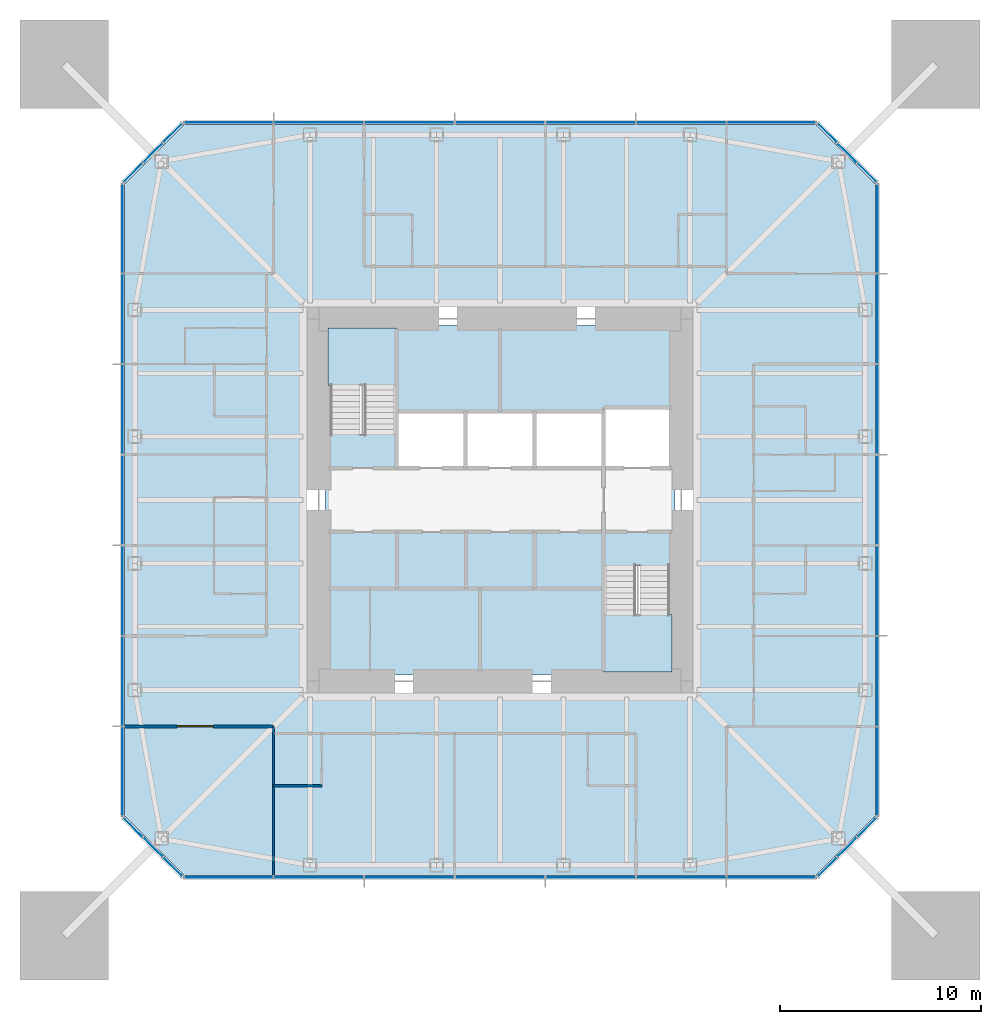
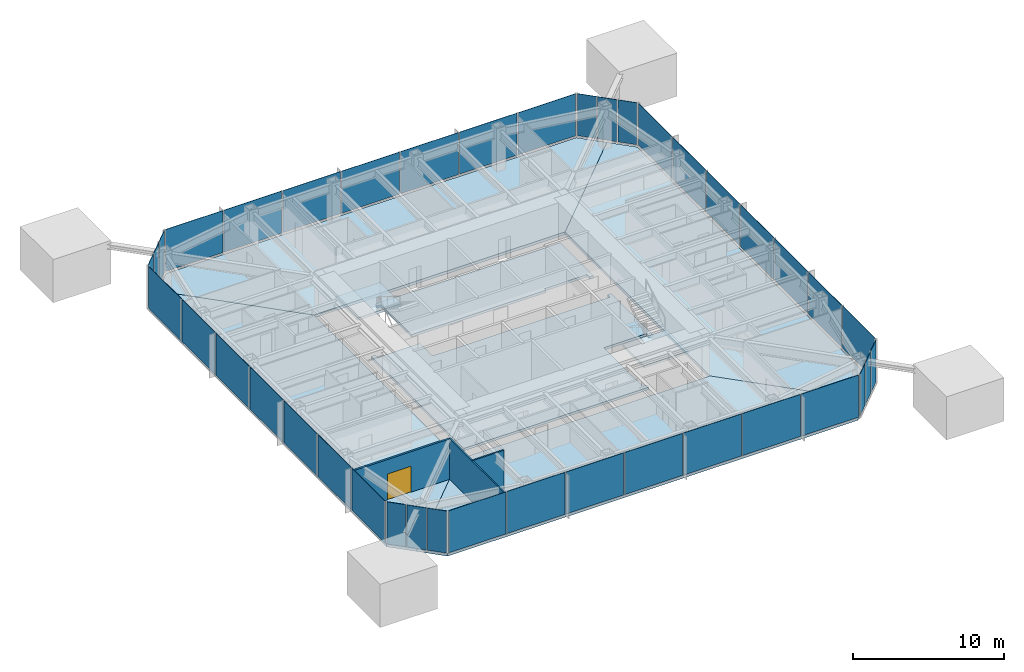
# One storey, part 5 of 11: 40 plates, 8 slabs, 3 walls, 1 door, 1 opening, 10 elements without a shape of their own.
"""IFC4 building model written with IfcOpenShell, lengths in metres."""

import ifcopenshell
import ifcopenshell.guid

model = None  # the IFC model being written
_history = None  # IfcOwnerHistory: only IFC2X3 demands one
_inside = {}  # id of a spatial element -> (the spatial element, [elements in it])
_under = {}  # id of a project, library or spatial element -> (it, [spatial elements below it])
_declared = {}  # id of a project -> (the project, [libraries it declares])
_typed = {}  # id of a type object -> (the type object, [elements of that type])
_made_of = {}  # id of a material, layer set ... -> (it, [elements and type objects made of it])


def new_model(schema):
    """Start an empty IFC model of exactly this schema.

    Asked for "IFC4X3", IfcOpenShell would pick the latest addendum, in which some entities
    have other attributes; the version numbers below select the first issue.
    IFC2X3 requires an IfcOwnerHistory on every rooted entity: one is made here for all.
    """
    global model, _history
    if schema == "IFC4X3":
        model = ifcopenshell.file(schema_version=(4, 3, 0, 0))
    else:
        model = ifcopenshell.file(schema=schema)
    _inside.clear()
    _under.clear()
    _declared.clear()
    _typed.clear()
    _made_of.clear()
    _history = None
    if model.schema == "IFC2X3":
        org = make("IfcOrganization", Name="unknown")
        user = make(
            "IfcPersonAndOrganization",
            ThePerson=make("IfcPerson", FamilyName="unknown"),
            TheOrganization=org,
        )
        app = make(
            "IfcApplication",
            ApplicationDeveloper=org,
            Version="unknown",
            ApplicationFullName="unknown",
            ApplicationIdentifier="unknown",
        )
        _history = make(
            "IfcOwnerHistory",
            OwningUser=user,
            OwningApplication=app,
            ChangeAction="ADDED",
            CreationDate=0,
        )
    return model


def make(cls, **values):
    """One entity of the class cls with the attributes given. An attribute that is None is left unset."""
    return model.create_entity(
        cls, **{name: value for name, value in values.items() if value is not None}
    )


def rooted(cls, **values):
    """An entity with a GlobalId (a new one), such as an element, a storey or a relation."""
    return make(cls, GlobalId=ifcopenshell.guid.new(), OwnerHistory=_history, **values)


def si_unit(unit_type, name, prefix=None):
    """IfcSIUnit, for example si_unit("LENGTHUNIT", "METRE", prefix="MILLI")."""
    return make("IfcSIUnit", UnitType=unit_type, Prefix=prefix, Name=name)


def assignment(units):
    """IfcUnitAssignment: the units of a project."""
    return None if units is None else make("IfcUnitAssignment", Units=units)


def point(xyz):
    """IfcCartesianPoint."""
    return None if xyz is None else make("IfcCartesianPoint", Coordinates=xyz)


def direction(xyz):
    """IfcDirection."""
    return None if xyz is None else make("IfcDirection", DirectionRatios=xyz)


def frame(location, z_axis=None, x_axis=None):
    """IfcAxis2Placement3D, a coordinate frame: its origin and axes. An axis left out is left unset."""
    return make(
        "IfcAxis2Placement3D",
        Location=point(location),
        Axis=direction(z_axis),
        RefDirection=direction(x_axis),
    )


def frame_2d(location, x_axis=None):
    """IfcAxis2Placement2D, a coordinate frame in the plane: its origin and x axis."""
    return make(
        "IfcAxis2Placement2D", Location=point(location), RefDirection=direction(x_axis)
    )


def origin():
    """The frame at (0, 0, 0) with its axes left unset."""
    return frame((0.0, 0.0, 0.0))


def origin_2d():
    """The frame at (0, 0) in the plane with its x axis left unset."""
    return frame_2d((0.0, 0.0))


def place(relative_to, where):
    """IfcLocalPlacement: puts the frame where relative to a parent placement (None: the world)."""
    return make(
        "IfcLocalPlacement", PlacementRelTo=relative_to, RelativePlacement=where
    )


def context(
    kind, dimensions, precision=None, world=None, true_north=None, identifier=None
):
    """IfcGeometricRepresentationContext, for example the 3D "Model" context."""
    return make(
        "IfcGeometricRepresentationContext",
        ContextIdentifier=identifier,
        ContextType=kind,
        CoordinateSpaceDimension=dimensions,
        Precision=precision,
        WorldCoordinateSystem=world,
        TrueNorth=true_north,
    )


def subcontext(parent, identifier, kind, view, scale=None):
    """IfcGeometricRepresentationSubContext, for example "Body" below "Model"."""
    return make(
        "IfcGeometricRepresentationSubContext",
        ContextIdentifier=identifier,
        ContextType=kind,
        ParentContext=parent,
        TargetScale=scale,
        TargetView=view,
    )


def project(units=None, contexts=None):
    """IfcProject with its units and contexts."""
    return rooted(
        "IfcProject",
        Name="project",
        RepresentationContexts=contexts,
        UnitsInContext=assignment(units),
    )


def spatial(cls, under=None, at=None, **own):
    """A site, building, storey or space (cls), placed at a placement, below another one or the project."""
    s = rooted(cls, ObjectPlacement=at, **own)
    if under is not None:
        _under.setdefault(under.id(), (under, []))[1].append(s)
    return s


def polyline(points):
    """IfcPolyline through the points."""
    return make("IfcPolyline", Points=[point(p) for p in points])


def profile(cls, at=None, kind="AREA", **sizes):
    """A parametric profile (cls). Its sizes go by their IFC names, for example OverallWidth=200.0."""
    return make(cls, ProfileType=kind, Position=at, **sizes)


def rectangle(**sizes):
    """IfcRectangleProfileDef."""
    return profile("IfcRectangleProfileDef", **sizes)


def outline(outer, holes=None, kind="AREA"):
    """IfcArbitraryClosedProfileDef: a profile drawn as a closed curve; with holes, ...WithVoids."""
    if holes is None:
        return make("IfcArbitraryClosedProfileDef", ProfileType=kind, OuterCurve=outer)
    return make(
        "IfcArbitraryProfileDefWithVoids",
        ProfileType=kind,
        OuterCurve=outer,
        InnerCurves=holes,
    )


def extrude(swept, where, along, depth):
    """IfcExtrudedAreaSolid: the profile swept, set in the frame where, extruded along a direction by depth."""
    return make(
        "IfcExtrudedAreaSolid",
        SweptArea=swept,
        Position=where,
        ExtrudedDirection=direction(along),
        Depth=depth,
    )


def shape(context_of_items, identifier, shape_type, items):
    """IfcShapeRepresentation: the items that make up one representation, for example the "Body"."""
    return make(
        "IfcShapeRepresentation",
        ContextOfItems=context_of_items,
        RepresentationIdentifier=identifier,
        RepresentationType=shape_type,
        Items=items,
    )


def material(Name=None, Category=None):
    """IfcMaterial."""
    return make("IfcMaterial", Name=Name, Category=Category)


def layer(
    of_material, thickness, ventilated=None, Name=None, Category=None, Priority=None
):
    """IfcMaterialLayer: one layer of a wall or slab, of a material (None: an air gap)."""
    return make(
        "IfcMaterialLayer",
        Material=of_material,
        LayerThickness=thickness,
        IsVentilated=ventilated,
        Name=Name,
        Category=Category,
        Priority=Priority,
    )


def layer_set(layers, Name=None):
    """IfcMaterialLayerSet."""
    return make("IfcMaterialLayerSet", MaterialLayers=layers, LayerSetName=Name)


def constituent(of_material, Name=None, Category=None, fraction=None):
    """IfcMaterialConstituent: one of the materials an element consists of."""
    return make(
        "IfcMaterialConstituent",
        Name=Name,
        Material=of_material,
        Fraction=fraction,
        Category=Category,
    )


def constituent_set(constituents=None, Name=None):
    """IfcMaterialConstituentSet."""
    return make(
        "IfcMaterialConstituentSet", Name=Name, MaterialConstituents=constituents
    )


def made_of(thing, what):
    """Note that an element or type object is made of a material, layer set ...; save() writes the relation."""
    if what is not None:
        _made_of.setdefault(what.id(), (what, []))[1].append(thing)
    return thing


def type_object(cls, material=None, **own):
    """A type object (cls), such as IfcWallType, which elements share."""
    return made_of(rooted(cls, **own), material)


def element(
    cls,
    number,
    at=None,
    inside=None,
    cuts=None,
    type_object=None,
    material=None,
    context=None,
    identifier="Body",
    shape_type=None,
    held_by="IfcProductDefinitionShape",
    body=None,
    shapes=None,
    **own,
):
    """One element of the class cls, such as IfcWall. Its Tag is "e" and its number.

    at: its placement. inside: the storey or other place that contains it. cuts: it is an
    opening in that element (IfcRelVoidsElement). A single representation is given by context,
    identifier, shape_type and body (its items); several are given by shapes. held_by: the class
    of the entity that holds the representations. save() writes the other relations.
    """
    e = rooted(cls, Tag="e%d" % number, ObjectPlacement=at, **own)
    if body is not None:
        shapes = [shape(context, identifier, shape_type, body)]
    if shapes is not None:
        e.Representation = make(held_by, Representations=shapes)
    if inside is not None:
        _inside.setdefault(inside.id(), (inside, []))[1].append(e)
    if cuts is not None:
        rooted(
            "IfcRelVoidsElement", RelatingBuildingElement=cuts, RelatedOpeningElement=e
        )
    if type_object is not None:
        _typed.setdefault(type_object.id(), (type_object, []))[1].append(e)
    return made_of(e, material)


def fill(opening, filler):
    """IfcRelFillsElement: the door or window that sits in an opening."""
    return rooted(
        "IfcRelFillsElement",
        RelatingOpeningElement=opening,
        RelatedBuildingElement=filler,
    )


def aggregate(whole, parts):
    """IfcRelAggregates: a whole, such as a stair, and the parts it consists of."""
    return rooted("IfcRelAggregates", RelatingObject=whole, RelatedObjects=parts)


def save(model, path):
    """Write the relations noted so far, then the file.

    IfcRelAggregates (storeys below a building ...), IfcRelContainedInSpatialStructure (elements
    in a storey), IfcRelDefinesByType, IfcRelAssociatesMaterial and IfcRelDeclares: one each for
    every whole, place, type object, material and project.
    """
    for whole, parts in _under.values():
        aggregate(whole, parts)
    for where, things in _inside.values():
        rooted(
            "IfcRelContainedInSpatialStructure",
            RelatedElements=things,
            RelatingStructure=where,
        )
    for kind, things in _typed.values():
        rooted("IfcRelDefinesByType", RelatedObjects=things, RelatingType=kind)
    for what, things in _made_of.values():
        rooted("IfcRelAssociatesMaterial", RelatedObjects=things, RelatingMaterial=what)
    for by, libraries in _declared.values():
        rooted("IfcRelDeclares", RelatingContext=by, RelatedDefinitions=libraries)
    model.write(path)


model = new_model("IFC4")

# Units and contexts
model_context = context("Model", 3, precision=1e-05, world=origin(), true_north=direction((0.0, 1.0)))
body_context = subcontext(model_context, "Body", "Model", "MODEL_VIEW")
ifc_project = project(units=[si_unit("LENGTHUNIT", "METRE"), si_unit("AREAUNIT", "SQUARE_METRE"), si_unit("VOLUMEUNIT", "CUBIC_METRE"), si_unit("PLANEANGLEUNIT", "RADIAN"), si_unit("MASSUNIT", "GRAM", prefix="KILO")], contexts=[model_context])

# Site, building, storey
site_placement = place(None, origin())
site = spatial("IfcSite", under=ifc_project, at=site_placement, CompositionType="ELEMENT")
building_placement = place(site_placement, origin())
building = spatial("IfcBuilding", under=site, at=building_placement, Name="Iwan Alto Co-Living Towers", CompositionType="ELEMENT")
storey_placement = place(building_placement, frame((0.0, 0.0, 202.0)))
storey = spatial("IfcBuildingStorey", under=building, at=storey_placement, Name="L55", CompositionType="ELEMENT", Elevation=202.0)

# Slabs
ifc_material_1 = material(Name="Concrete f'c 30 MPa", Category="concrete")
ifc_layer_1 = layer(ifc_material_1, 0.199951171875)
ifc_layer_set_1 = layer_set([ifc_layer_1], Name="CORE FLOOR SLAB 200")
slab_type_1 = type_object("IfcSlabType", Name="CORE FLOOR SLAB 200", PredefinedType="FLOOR", material=ifc_layer_set_1)
slab_1_placement = place(storey_placement, frame((0.0, 0.0, -0.199951171875)))
element("IfcSlab", 1, at=slab_1_placement, inside=storey, type_object=slab_type_1, Name="T1 core floor L55", PredefinedType="FLOOR", context=body_context, shape_type="SweptSolid", body=[
    extrude(outline(polyline([(5.14990234375, -8.39990234375), (5.4599609375, -8.39990234375), (5.4599609375, -8.699951171875), (-8.699951171875, -8.699951171875), (-8.699951171875, 3.580078125), (-8.39990234375, 3.580078125), (-8.39990234375, 3.27001953125), (-5.14990234375, 3.27001953125), (-5.14990234375, 1.60009765625), (-1.717041015625, 1.60009765625), (1.717041015625, 1.60009765625), (5.14990234375, 1.60009765625), (8.39990234375, 1.60009765625), (8.39990234375, 1.909912109375), (8.699951171875, 1.909912109375), (8.699951171875, -3.580078125), (8.39990234375, -3.580078125), (8.39990234375, -3.27001953125), (5.14990234375, -3.27001953125), (5.14990234375, -8.39990234375)])), origin(), (0.0, 0.0, 1.0), 0.199951171875),
])
slab_2_placement = place(storey_placement, frame((0.0, 0.0, -0.199951171875)))
element("IfcSlab", 2, at=slab_2_placement, inside=storey, type_object=slab_type_1, Name="T1 core floor L55", PredefinedType="FLOOR", context=body_context, shape_type="SweptSolid", body=[
    extrude(outline(polyline([(1.717041015625, 4.39990234375), (-1.717041015625, 4.39990234375), (-5.14990234375, 4.39990234375), (-5.14990234375, 8.39990234375), (-5.4599609375, 8.39990234375), (-5.4599609375, 8.699951171875), (8.699951171875, 8.699951171875), (8.699951171875, 4.2900390625), (8.39990234375, 4.2900390625), (8.39990234375, 4.60009765625), (5.14990234375, 4.60009765625), (5.14990234375, 4.39990234375), (1.717041015625, 4.39990234375)])), origin(), (0.0, 0.0, 1.0), 0.199951171875),
])

# Curtain wall, plates
ifc_material_2 = material(Name="Bronze aluminium unitised frame", Category="aluminium")
curtain_wall_type_1 = type_object("IfcCurtainWallType", Name="CURTAIN WALL CW-A", PredefinedType="NOTDEFINED", material=ifc_material_2)
curtain_wall_1_placement = place(storey_placement, origin())
curtain_wall_1 = element("IfcCurtainWall", 3, at=curtain_wall_1_placement, inside=storey, type_object=curtain_wall_type_1, Name="T1 curtain wall S L55", PredefinedType="NOTDEFINED")
ifc_material_3 = material(Name="Bronze-tinted insulating glass", Category="glass")
ifc_layer_2 = layer(ifc_material_3, 0.031982421875)
ifc_layer_set_2 = layer_set([ifc_layer_2], Name="CW-A PANEL TINTED IGU 32")
plate_type_1 = type_object("IfcPlateType", Name="CW-A PANEL TINTED IGU 32", PredefinedType="CURTAIN_PANEL", material=ifc_layer_set_2)
plate_1_placement = place(storey_placement, frame((-13.47998046875, -18.75, 0.10009765625), z_axis=(0.0, 0.0, 1.0), x_axis=(1.0, 0.0, 0.0)))
plate_1 = element("IfcPlate", 4, at=plate_1_placement, type_object=plate_type_1, Name="CW-A panel 1.1", PredefinedType="CURTAIN_PANEL", context=body_context, shape_type="SweptSolid", body=[
    extrude(rectangle(XDim=4.3798828125, YDim=0.031982421875, at=origin_2d()), origin(), (0.0, 0.0, 1.0), 3.39990234375),
])
plate_2_placement = place(storey_placement, frame((-9.0, -18.75, 0.10009765625), z_axis=(0.0, 0.0, 1.0), x_axis=(1.0, 0.0, 0.0)))
plate_2 = element("IfcPlate", 5, at=plate_2_placement, type_object=plate_type_1, Name="CW-A panel 2.1", PredefinedType="CURTAIN_PANEL", context=body_context, shape_type="SweptSolid", body=[
    extrude(rectangle(XDim=4.419921875, YDim=0.031982421875, at=origin_2d()), origin(), (0.0, 0.0, 1.0), 3.39990234375),
])
plate_3_placement = place(storey_placement, frame((-4.5, -18.75, 0.10009765625), z_axis=(0.0, 0.0, 1.0), x_axis=(1.0, 0.0, 0.0)))
plate_3 = element("IfcPlate", 6, at=plate_3_placement, type_object=plate_type_1, Name="CW-A panel 3.1", PredefinedType="CURTAIN_PANEL", context=body_context, shape_type="SweptSolid", body=[
    extrude(rectangle(XDim=4.419921875, YDim=0.031982421875, at=origin_2d()), origin(), (0.0, 0.0, 1.0), 3.39990234375),
])
plate_4_placement = place(storey_placement, frame((0.0, -18.75, 0.10009765625), z_axis=(0.0, 0.0, 1.0), x_axis=(1.0, 0.0, 0.0)))
plate_4 = element("IfcPlate", 7, at=plate_4_placement, type_object=plate_type_1, Name="CW-A panel 4.1", PredefinedType="CURTAIN_PANEL", context=body_context, shape_type="SweptSolid", body=[
    extrude(rectangle(XDim=4.419921875, YDim=0.031982421875, at=origin_2d()), origin(), (0.0, 0.0, 1.0), 3.39990234375),
])
plate_5_placement = place(storey_placement, frame((4.5, -18.75, 0.10009765625), z_axis=(0.0, 0.0, 1.0), x_axis=(1.0, 0.0, 0.0)))
plate_5 = element("IfcPlate", 8, at=plate_5_placement, type_object=plate_type_1, Name="CW-A panel 5.1", PredefinedType="CURTAIN_PANEL", context=body_context, shape_type="SweptSolid", body=[
    extrude(rectangle(XDim=4.419921875, YDim=0.031982421875, at=origin_2d()), origin(), (0.0, 0.0, 1.0), 3.39990234375),
])
plate_6_placement = place(storey_placement, frame((9.0, -18.75, 0.10009765625), z_axis=(0.0, 0.0, 1.0), x_axis=(1.0, 0.0, 0.0)))
plate_6 = element("IfcPlate", 9, at=plate_6_placement, type_object=plate_type_1, Name="CW-A panel 6.1", PredefinedType="CURTAIN_PANEL", context=body_context, shape_type="SweptSolid", body=[
    extrude(rectangle(XDim=4.419921875, YDim=0.031982421875, at=origin_2d()), origin(), (0.0, 0.0, 1.0), 3.39990234375),
])
plate_7_placement = place(storey_placement, frame((13.47998046875, -18.75, 0.10009765625), z_axis=(0.0, 0.0, 1.0), x_axis=(1.0, 0.0, 0.0)))
plate_7 = element("IfcPlate", 10, at=plate_7_placement, type_object=plate_type_1, Name="CW-A panel 7.1", PredefinedType="CURTAIN_PANEL", context=body_context, shape_type="SweptSolid", body=[
    extrude(rectangle(XDim=4.3798828125, YDim=0.031982421875, at=origin_2d()), origin(), (0.0, 0.0, 1.0), 3.39990234375),
])
aggregate(curtain_wall_1, [plate_1, plate_2, plate_3, plate_4, plate_5, plate_6, plate_7])

curtain_wall_2_placement = place(storey_placement, origin())
curtain_wall_2 = element("IfcCurtainWall", 11, at=curtain_wall_2_placement, inside=storey, type_object=curtain_wall_type_1, Name="T1 curtain wall E L55", PredefinedType="NOTDEFINED")
plate_8_placement = place(storey_placement, frame((18.75, -13.47998046875, 0.10009765625), z_axis=(0.0, 0.0, 1.0), x_axis=(0.0, 1.0, 0.0)))
plate_8 = element("IfcPlate", 12, at=plate_8_placement, type_object=plate_type_1, Name="CW-A panel 1.1", PredefinedType="CURTAIN_PANEL", context=body_context, shape_type="SweptSolid", body=[
    extrude(rectangle(XDim=4.3798828125, YDim=0.031982421875, at=origin_2d()), origin(), (0.0, 0.0, 1.0), 3.39990234375),
])
plate_9_placement = place(storey_placement, frame((18.75, -9.0, 0.10009765625), z_axis=(0.0, 0.0, 1.0), x_axis=(0.0, 1.0, 0.0)))
plate_9 = element("IfcPlate", 13, at=plate_9_placement, type_object=plate_type_1, Name="CW-A panel 2.1", PredefinedType="CURTAIN_PANEL", context=body_context, shape_type="SweptSolid", body=[
    extrude(rectangle(XDim=4.419921875, YDim=0.031982421875, at=origin_2d()), origin(), (0.0, 0.0, 1.0), 3.39990234375),
])
plate_10_placement = place(storey_placement, frame((18.75, -4.5, 0.10009765625), z_axis=(0.0, 0.0, 1.0), x_axis=(0.0, 1.0, 0.0)))
plate_10 = element("IfcPlate", 14, at=plate_10_placement, type_object=plate_type_1, Name="CW-A panel 3.1", PredefinedType="CURTAIN_PANEL", context=body_context, shape_type="SweptSolid", body=[
    extrude(rectangle(XDim=4.419921875, YDim=0.031982421875, at=origin_2d()), origin(), (0.0, 0.0, 1.0), 3.39990234375),
])
plate_11_placement = place(storey_placement, frame((18.75, 0.0, 0.10009765625), z_axis=(0.0, 0.0, 1.0), x_axis=(0.0, 1.0, 0.0)))
plate_11 = element("IfcPlate", 15, at=plate_11_placement, type_object=plate_type_1, Name="CW-A panel 4.1", PredefinedType="CURTAIN_PANEL", context=body_context, shape_type="SweptSolid", body=[
    extrude(rectangle(XDim=4.419921875, YDim=0.031982421875, at=origin_2d()), origin(), (0.0, 0.0, 1.0), 3.39990234375),
])
plate_12_placement = place(storey_placement, frame((18.75, 4.5, 0.10009765625), z_axis=(0.0, 0.0, 1.0), x_axis=(0.0, 1.0, 0.0)))
plate_12 = element("IfcPlate", 16, at=plate_12_placement, type_object=plate_type_1, Name="CW-A panel 5.1", PredefinedType="CURTAIN_PANEL", context=body_context, shape_type="SweptSolid", body=[
    extrude(rectangle(XDim=4.419921875, YDim=0.031982421875, at=origin_2d()), origin(), (0.0, 0.0, 1.0), 3.39990234375),
])
plate_13_placement = place(storey_placement, frame((18.75, 9.0, 0.10009765625), z_axis=(0.0, 0.0, 1.0), x_axis=(0.0, 1.0, 0.0)))
plate_13 = element("IfcPlate", 17, at=plate_13_placement, type_object=plate_type_1, Name="CW-A panel 6.1", PredefinedType="CURTAIN_PANEL", context=body_context, shape_type="SweptSolid", body=[
    extrude(rectangle(XDim=4.419921875, YDim=0.031982421875, at=origin_2d()), origin(), (0.0, 0.0, 1.0), 3.39990234375),
])
plate_14_placement = place(storey_placement, frame((18.75, 13.47998046875, 0.10009765625), z_axis=(0.0, 0.0, 1.0), x_axis=(0.0, 1.0, 0.0)))
plate_14 = element("IfcPlate", 18, at=plate_14_placement, type_object=plate_type_1, Name="CW-A panel 7.1", PredefinedType="CURTAIN_PANEL", context=body_context, shape_type="SweptSolid", body=[
    extrude(rectangle(XDim=4.3798828125, YDim=0.031982421875, at=origin_2d()), origin(), (0.0, 0.0, 1.0), 3.39990234375),
])
aggregate(curtain_wall_2, [plate_8, plate_9, plate_10, plate_11, plate_12, plate_13, plate_14])

curtain_wall_3_placement = place(storey_placement, origin())
curtain_wall_3 = element("IfcCurtainWall", 19, at=curtain_wall_3_placement, inside=storey, type_object=curtain_wall_type_1, Name="T1 curtain wall N L55", PredefinedType="NOTDEFINED")
plate_15_placement = place(storey_placement, frame((13.47998046875, 18.75, 0.10009765625), z_axis=(0.0, 0.0, 1.0), x_axis=(-1.0, 0.0, 0.0)))
plate_15 = element("IfcPlate", 20, at=plate_15_placement, type_object=plate_type_1, Name="CW-A panel 1.1", PredefinedType="CURTAIN_PANEL", context=body_context, shape_type="SweptSolid", body=[
    extrude(rectangle(XDim=4.3798828125, YDim=0.031982421875, at=origin_2d()), origin(), (0.0, 0.0, 1.0), 3.39990234375),
])
plate_16_placement = place(storey_placement, frame((9.0, 18.75, 0.10009765625), z_axis=(0.0, 0.0, 1.0), x_axis=(-1.0, 0.0, 0.0)))
plate_16 = element("IfcPlate", 21, at=plate_16_placement, type_object=plate_type_1, Name="CW-A panel 2.1", PredefinedType="CURTAIN_PANEL", context=body_context, shape_type="SweptSolid", body=[
    extrude(rectangle(XDim=4.419921875, YDim=0.031982421875, at=origin_2d()), origin(), (0.0, 0.0, 1.0), 3.39990234375),
])
plate_17_placement = place(storey_placement, frame((4.5, 18.75, 0.10009765625), z_axis=(0.0, 0.0, 1.0), x_axis=(-1.0, 0.0, 0.0)))
plate_17 = element("IfcPlate", 22, at=plate_17_placement, type_object=plate_type_1, Name="CW-A panel 3.1", PredefinedType="CURTAIN_PANEL", context=body_context, shape_type="SweptSolid", body=[
    extrude(rectangle(XDim=4.419921875, YDim=0.031982421875, at=origin_2d()), origin(), (0.0, 0.0, 1.0), 3.39990234375),
])
plate_18_placement = place(storey_placement, frame((0.0, 18.75, 0.10009765625), z_axis=(0.0, 0.0, 1.0), x_axis=(-1.0, 0.0, 0.0)))
plate_18 = element("IfcPlate", 23, at=plate_18_placement, type_object=plate_type_1, Name="CW-A panel 4.1", PredefinedType="CURTAIN_PANEL", context=body_context, shape_type="SweptSolid", body=[
    extrude(rectangle(XDim=4.419921875, YDim=0.031982421875, at=origin_2d()), origin(), (0.0, 0.0, 1.0), 3.39990234375),
])
plate_19_placement = place(storey_placement, frame((-4.5, 18.75, 0.10009765625), z_axis=(0.0, 0.0, 1.0), x_axis=(-1.0, 0.0, 0.0)))
plate_19 = element("IfcPlate", 24, at=plate_19_placement, type_object=plate_type_1, Name="CW-A panel 5.1", PredefinedType="CURTAIN_PANEL", context=body_context, shape_type="SweptSolid", body=[
    extrude(rectangle(XDim=4.419921875, YDim=0.031982421875, at=origin_2d()), origin(), (0.0, 0.0, 1.0), 3.39990234375),
])
plate_20_placement = place(storey_placement, frame((-9.0, 18.75, 0.10009765625), z_axis=(0.0, 0.0, 1.0), x_axis=(-1.0, 0.0, 0.0)))
plate_20 = element("IfcPlate", 25, at=plate_20_placement, type_object=plate_type_1, Name="CW-A panel 6.1", PredefinedType="CURTAIN_PANEL", context=body_context, shape_type="SweptSolid", body=[
    extrude(rectangle(XDim=4.419921875, YDim=0.031982421875, at=origin_2d()), origin(), (0.0, 0.0, 1.0), 3.39990234375),
])
plate_21_placement = place(storey_placement, frame((-13.47998046875, 18.75, 0.10009765625), z_axis=(0.0, 0.0, 1.0), x_axis=(-1.0, 0.0, 0.0)))
plate_21 = element("IfcPlate", 26, at=plate_21_placement, type_object=plate_type_1, Name="CW-A panel 7.1", PredefinedType="CURTAIN_PANEL", context=body_context, shape_type="SweptSolid", body=[
    extrude(rectangle(XDim=4.3798828125, YDim=0.031982421875, at=origin_2d()), origin(), (0.0, 0.0, 1.0), 3.39990234375),
])
aggregate(curtain_wall_3, [plate_15, plate_16, plate_17, plate_18, plate_19, plate_20, plate_21])

curtain_wall_4_placement = place(storey_placement, origin())
curtain_wall_4 = element("IfcCurtainWall", 27, at=curtain_wall_4_placement, inside=storey, type_object=curtain_wall_type_1, Name="T1 curtain wall W L55", PredefinedType="NOTDEFINED")
plate_22_placement = place(storey_placement, frame((-18.75, 13.47998046875, 0.10009765625), z_axis=(0.0, 0.0, 1.0), x_axis=(0.0, -1.0, 0.0)))
plate_22 = element("IfcPlate", 28, at=plate_22_placement, type_object=plate_type_1, Name="CW-A panel 1.1", PredefinedType="CURTAIN_PANEL", context=body_context, shape_type="SweptSolid", body=[
    extrude(rectangle(XDim=4.3798828125, YDim=0.031982421875, at=origin_2d()), origin(), (0.0, 0.0, 1.0), 3.39990234375),
])
plate_23_placement = place(storey_placement, frame((-18.75, 9.0, 0.10009765625), z_axis=(0.0, 0.0, 1.0), x_axis=(0.0, -1.0, 0.0)))
plate_23 = element("IfcPlate", 29, at=plate_23_placement, type_object=plate_type_1, Name="CW-A panel 2.1", PredefinedType="CURTAIN_PANEL", context=body_context, shape_type="SweptSolid", body=[
    extrude(rectangle(XDim=4.419921875, YDim=0.031982421875, at=origin_2d()), origin(), (0.0, 0.0, 1.0), 3.39990234375),
])
plate_24_placement = place(storey_placement, frame((-18.75, 4.5, 0.10009765625), z_axis=(0.0, 0.0, 1.0), x_axis=(0.0, -1.0, 0.0)))
plate_24 = element("IfcPlate", 30, at=plate_24_placement, type_object=plate_type_1, Name="CW-A panel 3.1", PredefinedType="CURTAIN_PANEL", context=body_context, shape_type="SweptSolid", body=[
    extrude(rectangle(XDim=4.419921875, YDim=0.031982421875, at=origin_2d()), origin(), (0.0, 0.0, 1.0), 3.39990234375),
])
plate_25_placement = place(storey_placement, frame((-18.75, 0.0, 0.10009765625), z_axis=(0.0, 0.0, 1.0), x_axis=(0.0, -1.0, 0.0)))
plate_25 = element("IfcPlate", 31, at=plate_25_placement, type_object=plate_type_1, Name="CW-A panel 4.1", PredefinedType="CURTAIN_PANEL", context=body_context, shape_type="SweptSolid", body=[
    extrude(rectangle(XDim=4.419921875, YDim=0.031982421875, at=origin_2d()), origin(), (0.0, 0.0, 1.0), 3.39990234375),
])
plate_26_placement = place(storey_placement, frame((-18.75, -4.5, 0.10009765625), z_axis=(0.0, 0.0, 1.0), x_axis=(0.0, -1.0, 0.0)))
plate_26 = element("IfcPlate", 32, at=plate_26_placement, type_object=plate_type_1, Name="CW-A panel 5.1", PredefinedType="CURTAIN_PANEL", context=body_context, shape_type="SweptSolid", body=[
    extrude(rectangle(XDim=4.419921875, YDim=0.031982421875, at=origin_2d()), origin(), (0.0, 0.0, 1.0), 3.39990234375),
])
plate_27_placement = place(storey_placement, frame((-18.75, -9.0, 0.10009765625), z_axis=(0.0, 0.0, 1.0), x_axis=(0.0, -1.0, 0.0)))
plate_27 = element("IfcPlate", 33, at=plate_27_placement, type_object=plate_type_1, Name="CW-A panel 6.1", PredefinedType="CURTAIN_PANEL", context=body_context, shape_type="SweptSolid", body=[
    extrude(rectangle(XDim=4.419921875, YDim=0.031982421875, at=origin_2d()), origin(), (0.0, 0.0, 1.0), 3.39990234375),
])
plate_28_placement = place(storey_placement, frame((-18.75, -13.47998046875, 0.10009765625), z_axis=(0.0, 0.0, 1.0), x_axis=(0.0, -1.0, 0.0)))
plate_28 = element("IfcPlate", 34, at=plate_28_placement, type_object=plate_type_1, Name="CW-A panel 7.1", PredefinedType="CURTAIN_PANEL", context=body_context, shape_type="SweptSolid", body=[
    extrude(rectangle(XDim=4.3798828125, YDim=0.031982421875, at=origin_2d()), origin(), (0.0, 0.0, 1.0), 3.39990234375),
])
aggregate(curtain_wall_4, [plate_22, plate_23, plate_24, plate_25, plate_26, plate_27, plate_28])

ifc_material_4 = material(Name="Bronze aluminium unitised frame", Category="aluminium")
curtain_wall_type_2 = type_object("IfcCurtainWallType", Name="CURTAIN WALL CW-B", PredefinedType="NOTDEFINED", material=ifc_material_4)
curtain_wall_5_placement = place(storey_placement, origin())
curtain_wall_5 = element("IfcCurtainWall", 35, at=curtain_wall_5_placement, inside=storey, type_object=curtain_wall_type_2, Name="T1 chamfer curtain wall SE L55", PredefinedType="NOTDEFINED")
ifc_material_5 = material(Name="Bronze-tinted insulating glass", Category="glass")
ifc_layer_3 = layer(ifc_material_5, 0.031982421875)
ifc_layer_set_3 = layer_set([ifc_layer_3], Name="CW-B PANEL TINTED IGU 32")
plate_type_2 = type_object("IfcPlateType", Name="CW-B PANEL TINTED IGU 32", PredefinedType="CURTAIN_PANEL", material=ifc_layer_set_3)
plate_29_placement = place(storey_placement, frame((16.26416015625, -18.23583984375, 0.10009765625), z_axis=(0.0, 0.0, 1.0), x_axis=(0.707106781187, 0.707106781187, 0.0)))
plate_29 = element("IfcPlate", 36, at=plate_29_placement, type_object=plate_type_2, Name="CW-B panel 1.1", PredefinedType="CURTAIN_PANEL", context=body_context, shape_type="SweptSolid", body=[
    extrude(rectangle(XDim=1.294189453125, YDim=0.031982421875, at=origin_2d()), origin(), (0.0, 0.0, 1.0), 3.39990234375),
])
plate_30_placement = place(storey_placement, frame((17.25, -17.25, 0.10009765625), z_axis=(0.0, 0.0, 1.0), x_axis=(0.707106781187, 0.707106781187, 0.0)))
plate_30 = element("IfcPlate", 37, at=plate_30_placement, type_object=plate_type_2, Name="CW-B panel 2.1", PredefinedType="CURTAIN_PANEL", context=body_context, shape_type="SweptSolid", body=[
    extrude(rectangle(XDim=1.334228515625, YDim=0.031982421875, at=origin_2d()), origin(), (0.0, 0.0, 1.0), 3.39990234375),
])
plate_31_placement = place(storey_placement, frame((18.23583984375, -16.26416015625, 0.10009765625), z_axis=(0.0, 0.0, 1.0), x_axis=(0.707106781187, 0.707106781187, 0.0)))
plate_31 = element("IfcPlate", 38, at=plate_31_placement, type_object=plate_type_2, Name="CW-B panel 3.1", PredefinedType="CURTAIN_PANEL", context=body_context, shape_type="SweptSolid", body=[
    extrude(rectangle(XDim=1.294189453125, YDim=0.031982421875, at=origin_2d()), origin(), (0.0, 0.0, 1.0), 3.39990234375),
])
aggregate(curtain_wall_5, [plate_29, plate_30, plate_31])

curtain_wall_6_placement = place(storey_placement, origin())
curtain_wall_6 = element("IfcCurtainWall", 39, at=curtain_wall_6_placement, inside=storey, type_object=curtain_wall_type_2, Name="T1 chamfer curtain wall NE L55", PredefinedType="NOTDEFINED")
plate_32_placement = place(storey_placement, frame((18.23583984375, 16.26416015625, 0.10009765625), z_axis=(0.0, 0.0, 1.0), x_axis=(-0.707106781187, 0.707106781187, 0.0)))
plate_32 = element("IfcPlate", 40, at=plate_32_placement, type_object=plate_type_2, Name="CW-B panel 1.1", PredefinedType="CURTAIN_PANEL", context=body_context, shape_type="SweptSolid", body=[
    extrude(rectangle(XDim=1.294189453125, YDim=0.031982421875, at=origin_2d()), origin(), (0.0, 0.0, 1.0), 3.39990234375),
])
plate_33_placement = place(storey_placement, frame((17.25, 17.25, 0.10009765625), z_axis=(0.0, 0.0, 1.0), x_axis=(-0.707106781187, 0.707106781187, 0.0)))
plate_33 = element("IfcPlate", 41, at=plate_33_placement, type_object=plate_type_2, Name="CW-B panel 2.1", PredefinedType="CURTAIN_PANEL", context=body_context, shape_type="SweptSolid", body=[
    extrude(rectangle(XDim=1.334228515625, YDim=0.031982421875, at=origin_2d()), origin(), (0.0, 0.0, 1.0), 3.39990234375),
])
plate_34_placement = place(storey_placement, frame((16.26416015625, 18.23583984375, 0.10009765625), z_axis=(0.0, 0.0, 1.0), x_axis=(-0.707106781187, 0.707106781187, 0.0)))
plate_34 = element("IfcPlate", 42, at=plate_34_placement, type_object=plate_type_2, Name="CW-B panel 3.1", PredefinedType="CURTAIN_PANEL", context=body_context, shape_type="SweptSolid", body=[
    extrude(rectangle(XDim=1.294189453125, YDim=0.031982421875, at=origin_2d()), origin(), (0.0, 0.0, 1.0), 3.39990234375),
])
aggregate(curtain_wall_6, [plate_32, plate_33, plate_34])

curtain_wall_7_placement = place(storey_placement, origin())
curtain_wall_7 = element("IfcCurtainWall", 43, at=curtain_wall_7_placement, inside=storey, type_object=curtain_wall_type_2, Name="T1 chamfer curtain wall NW L55", PredefinedType="NOTDEFINED")
plate_35_placement = place(storey_placement, frame((-16.26416015625, 18.23583984375, 0.10009765625), z_axis=(0.0, 0.0, 1.0), x_axis=(-0.707106781187, -0.707106781187, 0.0)))
plate_35 = element("IfcPlate", 44, at=plate_35_placement, type_object=plate_type_2, Name="CW-B panel 1.1", PredefinedType="CURTAIN_PANEL", context=body_context, shape_type="SweptSolid", body=[
    extrude(rectangle(XDim=1.294189453125, YDim=0.031982421875, at=origin_2d()), origin(), (0.0, 0.0, 1.0), 3.39990234375),
])
plate_36_placement = place(storey_placement, frame((-17.25, 17.25, 0.10009765625), z_axis=(0.0, 0.0, 1.0), x_axis=(-0.707106781187, -0.707106781187, 0.0)))
plate_36 = element("IfcPlate", 45, at=plate_36_placement, type_object=plate_type_2, Name="CW-B panel 2.1", PredefinedType="CURTAIN_PANEL", context=body_context, shape_type="SweptSolid", body=[
    extrude(rectangle(XDim=1.334228515625, YDim=0.031982421875, at=origin_2d()), origin(), (0.0, 0.0, 1.0), 3.39990234375),
])
plate_37_placement = place(storey_placement, frame((-18.23583984375, 16.26416015625, 0.10009765625), z_axis=(0.0, 0.0, 1.0), x_axis=(-0.707106781187, -0.707106781187, 0.0)))
plate_37 = element("IfcPlate", 46, at=plate_37_placement, type_object=plate_type_2, Name="CW-B panel 3.1", PredefinedType="CURTAIN_PANEL", context=body_context, shape_type="SweptSolid", body=[
    extrude(rectangle(XDim=1.294189453125, YDim=0.031982421875, at=origin_2d()), origin(), (0.0, 0.0, 1.0), 3.39990234375),
])
aggregate(curtain_wall_7, [plate_35, plate_36, plate_37])

curtain_wall_8_placement = place(storey_placement, origin())
curtain_wall_8 = element("IfcCurtainWall", 47, at=curtain_wall_8_placement, inside=storey, type_object=curtain_wall_type_2, Name="T1 chamfer curtain wall SW L55", PredefinedType="NOTDEFINED")
plate_38_placement = place(storey_placement, frame((-18.23583984375, -16.26416015625, 0.10009765625), z_axis=(0.0, 0.0, 1.0), x_axis=(0.707106781187, -0.707106781187, 0.0)))
plate_38 = element("IfcPlate", 48, at=plate_38_placement, type_object=plate_type_2, Name="CW-B panel 1.1", PredefinedType="CURTAIN_PANEL", context=body_context, shape_type="SweptSolid", body=[
    extrude(rectangle(XDim=1.294189453125, YDim=0.031982421875, at=origin_2d()), origin(), (0.0, 0.0, 1.0), 3.39990234375),
])
plate_39_placement = place(storey_placement, frame((-17.25, -17.25, 0.10009765625), z_axis=(0.0, 0.0, 1.0), x_axis=(0.707106781187, -0.707106781187, 0.0)))
plate_39 = element("IfcPlate", 49, at=plate_39_placement, type_object=plate_type_2, Name="CW-B panel 2.1", PredefinedType="CURTAIN_PANEL", context=body_context, shape_type="SweptSolid", body=[
    extrude(rectangle(XDim=1.334228515625, YDim=0.031982421875, at=origin_2d()), origin(), (0.0, 0.0, 1.0), 3.39990234375),
])
plate_40_placement = place(storey_placement, frame((-16.26416015625, -18.23583984375, 0.10009765625), z_axis=(0.0, 0.0, 1.0), x_axis=(0.707106781187, -0.707106781187, 0.0)))
plate_40 = element("IfcPlate", 50, at=plate_40_placement, type_object=plate_type_2, Name="CW-B panel 3.1", PredefinedType="CURTAIN_PANEL", context=body_context, shape_type="SweptSolid", body=[
    extrude(rectangle(XDim=1.294189453125, YDim=0.031982421875, at=origin_2d()), origin(), (0.0, 0.0, 1.0), 3.39990234375),
])
aggregate(curtain_wall_8, [plate_38, plate_39, plate_40])

# Stair, slab
ifc_material_6 = material(Name="Steel ASTM A36", Category="steel")
ifc_constituent_1 = constituent(ifc_material_6, Name="Stringers", Category="LoadBearing")
ifc_material_7 = material(Name="Concrete f'c 30 MPa", Category="concrete")
ifc_constituent_2 = constituent(ifc_material_7, Name="Tread fill", Category="Finish")
ifc_constituent_set = constituent_set(constituents=[ifc_constituent_1, ifc_constituent_2], Name="STAIR 3500 TWO-FLIGHT T1 CORE")
stair_type = type_object("IfcStairType", Name="STAIR 3500 TWO-FLIGHT T1 CORE", PredefinedType="HALF_TURN_STAIR", material=ifc_constituent_set)
stair_1_placement = place(storey_placement, origin())
stair_1 = element("IfcStair", 51, at=stair_1_placement, inside=storey, type_object=stair_type, Name="Stair T1-S1 L55 to L56", PredefinedType="HALF_TURN_STAIR")
ifc_material_8 = material(Name="Concrete f'c 30 MPa", Category="concrete")
ifc_layer_4 = layer(ifc_material_8, 0.199951171875)
ifc_layer_set_4 = layer_set([ifc_layer_4], Name="STAIR LANDING 200")
slab_type_2 = type_object("IfcSlabType", Name="STAIR LANDING 200", PredefinedType="LANDING", material=ifc_layer_set_4)
slab_3_placement = place(storey_placement, frame((0.0, 0.0, 1.550048828125)))
slab_3 = element("IfcSlab", 52, at=slab_3_placement, type_object=slab_type_2, Name="T1-S1 landing 1", PredefinedType="LANDING", context=body_context, shape_type="SweptSolid", body=[
    extrude(outline(polyline([(-8.550048828125, 5.68994140625), (-8.550048828125, 8.550048828125), (-5.14990234375, 8.550048828125), (-5.14990234375, 5.68994140625), (-8.550048828125, 5.68994140625)])), origin(), (0.0, 0.0, 1.0), 0.199951171875),
])
aggregate(stair_1, [slab_3])

stair_2_placement = place(storey_placement, origin())
stair_2 = element("IfcStair", 53, at=stair_2_placement, inside=storey, type_object=stair_type, Name="Stair T1-S2 L55 to L56", PredefinedType="HALF_TURN_STAIR")
slab_4_placement = place(storey_placement, frame((0.0, 0.0, 1.550048828125)))
slab_4 = element("IfcSlab", 54, at=slab_4_placement, type_object=slab_type_2, Name="T1-S2 landing 1", PredefinedType="LANDING", context=body_context, shape_type="SweptSolid", body=[
    extrude(outline(polyline([(5.14990234375, -5.68994140625), (5.14990234375, -8.550048828125), (8.550048828125, -8.550048828125), (8.550048828125, -5.68994140625), (5.14990234375, -5.68994140625)])), origin(), (0.0, 0.0, 1.0), 0.199951171875),
])
aggregate(stair_2, [slab_4])

# Slabs
ifc_material_9 = material(Name="Concrete f'c 30 MPa", Category="concrete")
ifc_layer_5 = layer(ifc_material_9, 0.22998046875)
ifc_layer_set_5 = layer_set([ifc_layer_5], Name="T1 FLOOR SLAB 230")
slab_type_3 = type_object("IfcSlabType", Name="T1 FLOOR SLAB 230", PredefinedType="FLOOR", material=ifc_layer_set_5)
slab_5_placement = place(storey_placement, frame((0.0, 0.0, -0.22998046875)))
element("IfcSlab", 55, at=slab_5_placement, inside=storey, type_object=slab_type_3, Name="T1 floor slab L55 S pour", PredefinedType="FLOOR", context=body_context, shape_type="SweptSolid", body=[
    extrude(outline(polyline([(15.69140625, -18.64990234375), (-15.69140625, -18.64990234375), (-17.170654296875, -17.170654296875), (-9.60009765625, -9.60009765625), (9.60009765625, -9.60009765625), (17.170654296875, -17.170654296875), (15.69140625, -18.64990234375)])), origin(), (0.0, 0.0, 1.0), 0.22998046875),
])
slab_6_placement = place(storey_placement, frame((0.0, 0.0, -0.22998046875)))
element("IfcSlab", 56, at=slab_6_placement, inside=storey, type_object=slab_type_3, Name="T1 floor slab L55 E pour", PredefinedType="FLOOR", context=body_context, shape_type="SweptSolid", body=[
    extrude(outline(polyline([(18.64990234375, 15.69140625), (18.64990234375, -15.69140625), (17.170654296875, -17.170654296875), (9.60009765625, -9.60009765625), (9.60009765625, 9.60009765625), (17.170654296875, 17.170654296875), (18.64990234375, 15.69140625)])), origin(), (0.0, 0.0, 1.0), 0.22998046875),
])
slab_7_placement = place(storey_placement, frame((0.0, 0.0, -0.22998046875)))
element("IfcSlab", 57, at=slab_7_placement, inside=storey, type_object=slab_type_3, Name="T1 floor slab L55 N pour", PredefinedType="FLOOR", context=body_context, shape_type="SweptSolid", body=[
    extrude(outline(polyline([(-15.69140625, 18.64990234375), (15.69140625, 18.64990234375), (17.170654296875, 17.170654296875), (9.60009765625, 9.60009765625), (-9.60009765625, 9.60009765625), (-17.170654296875, 17.170654296875), (-15.69140625, 18.64990234375)])), origin(), (0.0, 0.0, 1.0), 0.22998046875),
])
slab_8_placement = place(storey_placement, frame((0.0, 0.0, -0.22998046875)))
element("IfcSlab", 58, at=slab_8_placement, inside=storey, type_object=slab_type_3, Name="T1 floor slab L55 W pour", PredefinedType="FLOOR", context=body_context, shape_type="SweptSolid", body=[
    extrude(outline(polyline([(-18.64990234375, 15.69140625), (-17.170654296875, 17.170654296875), (-9.60009765625, 9.60009765625), (-9.60009765625, -9.60009765625), (-17.170654296875, -17.170654296875), (-18.64990234375, -15.69140625), (-18.64990234375, 15.69140625)])), origin(), (0.0, 0.0, 1.0), 0.22998046875),
])

# Wall, opening, door
ifc_material_10 = material(Name="Gypsum board")
ifc_layer_6 = layer(ifc_material_10, 0.02490234375, Name="Board", Category="Finish")
ifc_material_11 = material(Name="Steel ASTM A1003 ST33H cold-formed studs", Category="steel")
ifc_layer_7 = layer(ifc_material_11, 0.10009765625, Name="Studs", Category="Framing")
ifc_layer_8 = layer(ifc_material_10, 0.02490234375, Name="Board", Category="Finish")
ifc_layer_set_6 = layer_set([ifc_layer_6, ifc_layer_7, ifc_layer_8], Name="CORRIDOR WALL 150")
wall_type_1 = type_object("IfcWallType", Name="CORRIDOR WALL 150", PredefinedType="PARTITIONING", material=ifc_layer_set_6)
wall_1_placement = place(storey_placement, frame((-18.68994140625, -11.25, 0.0), z_axis=(0.0, 0.0, 1.0), x_axis=(1.0, 0.0, 0.0)))
wall_1 = element("IfcWall", 59, at=wall_1_placement, inside=storey, type_object=wall_type_1, Name="Partition L55", PredefinedType="PARTITIONING", context=body_context, shape_type="SweptSolid", body=[
    extrude(rectangle(XDim=7.43994140625, YDim=0.14990234375, at=frame_2d((3.719970703125, 0.0))), origin(), (0.0, 0.0, 1.0), 3.27001953125),
])
opening_placement = place(wall_1_placement, frame((2.64501953125, 0.0, 0.0)))
opening = element("IfcOpeningElement", 60, at=opening_placement, cuts=wall_1, Name="Opening D9", PredefinedType="OPENING", context=body_context, shape_type="SweptSolid", body=[
    extrude(rectangle(XDim=1.800048828125, YDim=2.10009765625, at=frame_2d((0.89990234375, 1.050048828125))), frame((0.0, 0.0849609375, 0.0), z_axis=(0.0, -1.0, 0.0), x_axis=(1.0, 0.0, 0.0)), (0.0, 0.0, 1.0), 0.169921875),
])
ifc_material_12 = material(Name="Steel frame with timber leaf", Category="steel")
door_type = type_object("IfcDoorType", Name="LOUNGE DOOR FD30S 1800X2100", OperationType="DOUBLE_DOOR_SINGLE_SWING", PredefinedType="DOOR", material=ifc_material_12)
door_placement = place(opening_placement, frame((1.800048828125, 0.0, 0.0), z_axis=(0.0, 0.0, 1.0), x_axis=(-1.0, 0.0, 0.0)))
door = element("IfcDoor", 61, at=door_placement, inside=storey, type_object=door_type, Name="Courtyard lounge door L55", OperationType="DOUBLE_DOOR_SINGLE_SWING", OverallHeight=2.10009765625, OverallWidth=1.800048828125, PredefinedType="DOOR", context=body_context, shape_type="SweptSolid", body=[
    extrude(rectangle(XDim=1.800048828125, YDim=2.10009765625, at=frame_2d((0.89990234375, 1.050048828125))), frame((0.0, 0.02490234375, 0.0), z_axis=(0.0, -1.0, 0.0), x_axis=(1.0, 0.0, 0.0)), (0.0, 0.0, 1.0), 0.050048828125),
])
fill(opening, door)

# Walls
ifc_layer_9 = layer(ifc_material_10, 0.012451171875, Name="Board", Category="Finish")
ifc_layer_10 = layer(ifc_material_11, 0.074951171875, Name="Studs", Category="Framing")
ifc_layer_11 = layer(ifc_material_10, 0.012451171875, Name="Board", Category="Finish")
ifc_layer_set_7 = layer_set([ifc_layer_9, ifc_layer_10, ifc_layer_11], Name="PARTITION 100")
wall_type_2 = type_object("IfcWallType", Name="PARTITION 100", PredefinedType="PARTITIONING", material=ifc_layer_set_7)
wall_2_placement = place(storey_placement, frame((-11.25, -18.68994140625, 0.0), z_axis=(0.0, 0.0, 1.0), x_axis=(0.0, 1.0, 0.0)))
element("IfcWall", 62, at=wall_2_placement, inside=storey, type_object=wall_type_2, Name="Partition L55", PredefinedType="PARTITIONING", context=body_context, shape_type="SweptSolid", body=[
    extrude(rectangle(XDim=7.43994140625, YDim=0.10009765625, at=frame_2d((3.719970703125, 0.0))), origin(), (0.0, 0.0, 1.0), 3.27001953125),
])
ifc_material_13 = material(Name="Cement board")
ifc_layer_12 = layer(ifc_material_13, 0.012451171875, Name="Board", Category="Finish")
ifc_layer_13 = layer(ifc_material_11, 0.094970703125, Name="Studs", Category="Framing")
ifc_layer_14 = layer(ifc_material_13, 0.012451171875, Name="Board", Category="Finish")
ifc_layer_set_8 = layer_set([ifc_layer_12, ifc_layer_13, ifc_layer_14], Name="WET AREA PARTITION 120")
wall_type_3 = type_object("IfcWallType", Name="WET AREA PARTITION 120", PredefinedType="PARTITIONING", material=ifc_layer_set_8)
wall_3_placement = place(storey_placement, frame((-11.25, -14.199951171875, 0.0), z_axis=(0.0, 0.0, 1.0), x_axis=(1.0, 0.0, 0.0)))
element("IfcWall", 63, at=wall_3_placement, inside=storey, type_object=wall_type_3, Name="Partition L55", PredefinedType="PARTITIONING", context=body_context, shape_type="SweptSolid", body=[
    extrude(rectangle(XDim=2.39990234375, YDim=0.1201171875, at=frame_2d((1.199951171875, 0.0))), origin(), (0.0, 0.0, 1.0), 3.27001953125),
])

save(model, "model.ifc")
